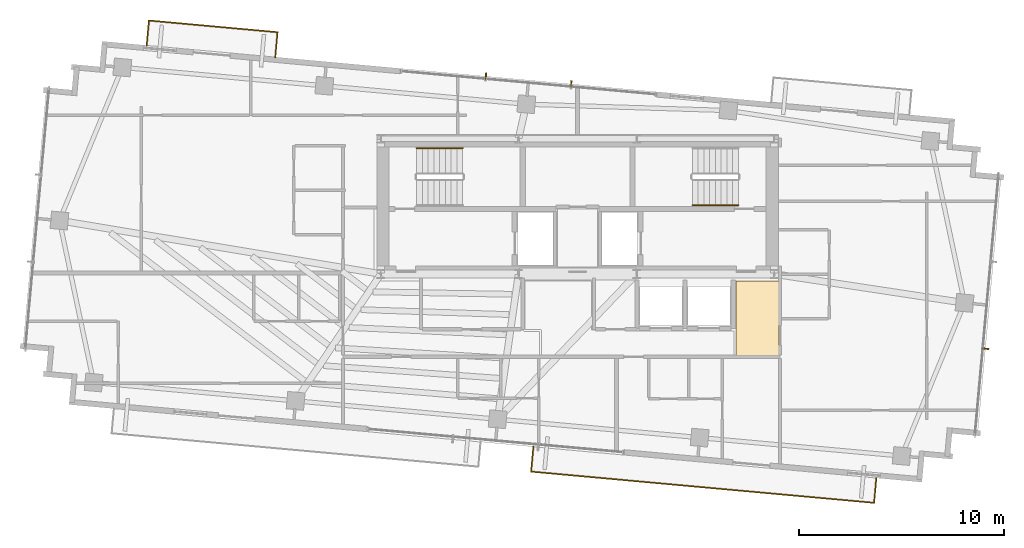
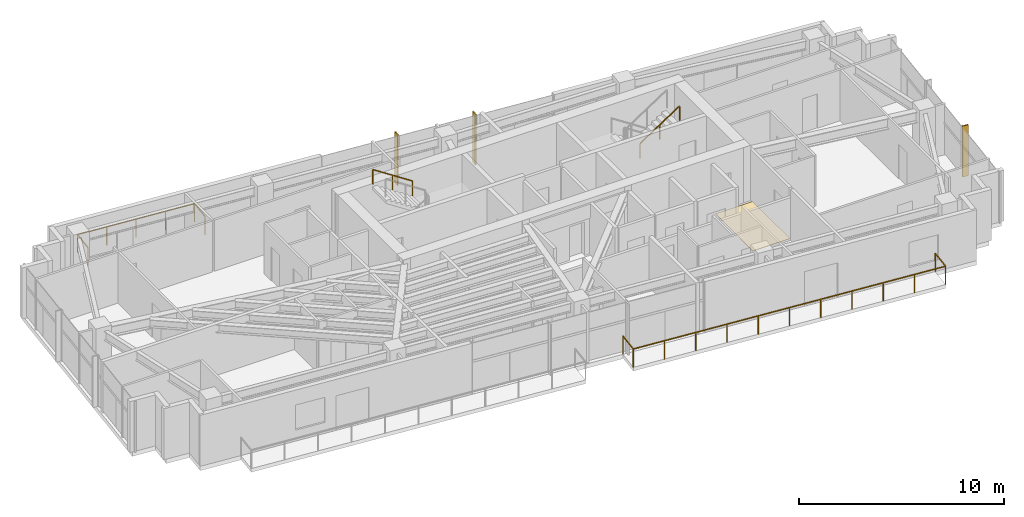
# One storey, part 21 of 22: 4 railings, 3 shading devices, 1 covering.
"""IFC4 building model written with IfcOpenShell, lengths in metres."""

from ifc_helpers import new_model, si_unit, direction, frame, origin, origin_2d, place, context, subcontext, project, spatial, polyline, rectangle, outline, extrude, source, transform, mapped, material, layer, layer_set, type_object, type_shapes, element, save


model = new_model("IFC4")

# Units and contexts
model_context = context("Model", 3, precision=1e-05, world=origin(), true_north=direction((0.0, 1.0)))
body_context = subcontext(model_context, "Body", "Model", "MODEL_VIEW")
ifc_project = project(units=[si_unit("LENGTHUNIT", "METRE"), si_unit("AREAUNIT", "SQUARE_METRE"), si_unit("VOLUMEUNIT", "CUBIC_METRE"), si_unit("PLANEANGLEUNIT", "RADIAN"), si_unit("MASSUNIT", "GRAM", prefix="KILO")], contexts=[model_context])

# Site, building, storey
site_placement = place(None, origin())
site = spatial("IfcSite", under=ifc_project, at=site_placement, CompositionType="ELEMENT")
building_placement = place(site_placement, origin())
building = spatial("IfcBuilding", under=site, at=building_placement, Name="Astriad Promenade Condominiums", CompositionType="ELEMENT")
storey_placement = place(building_placement, frame((0.0, 0.0, 229.800048828125)))
storey = spatial("IfcBuildingStorey", under=building, at=storey_placement, Name="L66", CompositionType="ELEMENT", Elevation=229.800048828125)

# Covering
ifc_material_1 = material(Name="Polished Lakefront Terrazzo Flooring")
ifc_layer = layer(ifc_material_1, 0.02001953125)
ifc_layer_set = layer_set([ifc_layer], Name="Polished Lakefront Terrazzo Flooring")
covering_type = type_object("IfcCoveringType", Name="COV-FLOR-TERRAZZO-20", PredefinedType="FLOORING", material=ifc_layer_set)
covering_placement = place(storey_placement, origin())
element("IfcCovering", 1, at=covering_placement, inside=storey, type_object=covering_type, Name="FLR-L66-COR-2", PredefinedType="FLOORING", context=body_context, shape_type="SweptSolid", body=[
    extrude(outline(polyline([(43.72998046875, 14.62353515625), (43.73095703125, 14.62451171875), (43.7333984375, 14.627685546875), (43.7353515625, 14.631103515625), (43.737060546875, 14.634765625), (43.73828125, 14.638427734375), (43.7392578125, 14.64208984375), (43.73974609375, 14.64599609375), (43.739990234375, 14.64990234375), (43.739990234375, 17.06005859375), (45.840087890625, 17.06005859375), (45.840087890625, 13.39990234375), (43.72998046875, 13.39990234375), (43.72998046875, 14.62353515625)])), origin(), (0.0, 0.0, 1.0), 0.02001953125),
])

# Shading devices
ifc_material_2 = material(Name="Anodised aluminium 6063-T6 Black Fin", Category="aluminium")
shading_device_type = type_object("IfcShadingDeviceType", Name="FIN-BLACK-260", PredefinedType="USERDEFINED", material=ifc_material_2)
shared_shape_1 = source(origin(), body_context, "Body", "SweptSolid", [
    extrude(rectangle(XDim=0.06494140625, YDim=0.320068359375, at=origin_2d()), origin(), (0.0, 0.0, 1.0), 3.0400390625),
])
type_shapes(shading_device_type, [shared_shape_1])
for number, where, z_axis, x_axis, name in (
    (2, (31.526123046875, 27.062744140625, 0.0), (0.0, 0.0, 1.0), (0.995884398616, -0.090632580198, 0.0), "CW-L66-N-FIN-01"),
    (3, (35.68896484375, 26.683837890625, 0.0), (0.0, 0.0, 1.0), (0.995884398616, -0.090632580198, 0.0), "CW-L66-N-FIN-02"),
    (4, (55.920166015625, 13.753662109375, 0.0), (0.0, 0.0, 1.0), (-0.090632580198, -0.995884398616, 0.0), "CW-L66-E-FIN-02"),
):
    element("IfcShadingDevice", number, at=place(storey_placement, frame(where, z_axis=z_axis, x_axis=x_axis)), inside=storey, type_object=shading_device_type, Name=name, ObjectType="FIN", PredefinedType="USERDEFINED", context=body_context, shape_type="MappedRepresentation", body=[
        mapped(shared_shape_1, transform((0.0, 0.0, 0.0), scale=1.0)),
    ])

# Railings
ifc_material_3 = material(Name="Laminated Glass and Stainless Steel Balustrade", Category="steel")
railing_type_1 = type_object("IfcRailingType", Name="GRD-BALC-1120", PredefinedType="BALUSTRADE", material=ifc_material_3)
shared_shape_2 = source(origin(), body_context, "Body", "SweptSolid", [
    extrude(rectangle(XDim=0.048095703125, YDim=0.048095703125, at=origin_2d()), frame((0.0, 0.0, 1.09619140625), z_axis=(-0.090643994769, -0.995883359743, 0.0), x_axis=(0.995883359743, -0.090643994769, 0.0)), (0.0, 0.0, 1.0), 1.22021484375),
    extrude(rectangle(XDim=0.048095703125, YDim=0.048095703125, at=origin_2d()), frame((-0.110595703125, -1.215087890625, 1.09619140625), z_axis=(0.995883798248, -0.09063917689, 0.0), x_axis=(0.09063917689, 0.995883798248, 0.0)), (0.0, 0.0, 1.0), 16.81298828125),
    extrude(rectangle(XDim=0.048095703125, YDim=0.048095703125, at=origin_2d()), frame((16.63330078125, -2.739013671875, 1.09619140625), z_axis=(0.090445536319, 0.995901403232, 0.0), x_axis=(-0.995901403232, 0.090445536319, 0.0)), (0.0, 0.0, 1.0), 1.219970703125),
    extrude(rectangle(XDim=0.0419921875, YDim=0.0419921875, at=origin_2d()), origin(), (0.0, 0.0, 1.0), 1.072021484375),
    extrude(rectangle(XDim=0.0419921875, YDim=0.0419921875, at=origin_2d()), frame((-0.110595703125, -1.215087890625, 0.0)), (0.0, 0.0, 1.0), 1.072021484375),
    extrude(rectangle(XDim=0.0419921875, YDim=0.0419921875, at=origin_2d()), frame((1.563720703125, -1.367431640625, 0.0)), (0.0, 0.0, 1.0), 1.072021484375),
    extrude(rectangle(XDim=0.0419921875, YDim=0.0419921875, at=origin_2d()), frame((3.23828125, -1.519775390625, 0.0)), (0.0, 0.0, 1.0), 1.072021484375),
    extrude(rectangle(XDim=0.0419921875, YDim=0.0419921875, at=origin_2d()), frame((4.91259765625, -1.67236328125, 0.0)), (0.0, 0.0, 1.0), 1.072021484375),
    extrude(rectangle(XDim=0.0419921875, YDim=0.0419921875, at=origin_2d()), frame((6.5869140625, -1.82470703125, 0.0)), (0.0, 0.0, 1.0), 1.072021484375),
    extrude(rectangle(XDim=0.0419921875, YDim=0.0419921875, at=origin_2d()), frame((8.26123046875, -1.97705078125, 0.0)), (0.0, 0.0, 1.0), 1.072021484375),
    extrude(rectangle(XDim=0.0419921875, YDim=0.0419921875, at=origin_2d()), frame((9.935791015625, -2.12939453125, 0.0)), (0.0, 0.0, 1.0), 1.072021484375),
    extrude(rectangle(XDim=0.0419921875, YDim=0.0419921875, at=origin_2d()), frame((11.610107421875, -2.28173828125, 0.0)), (0.0, 0.0, 1.0), 1.072021484375),
    extrude(rectangle(XDim=0.0419921875, YDim=0.0419921875, at=origin_2d()), frame((13.284423828125, -2.434326171875, 0.0)), (0.0, 0.0, 1.0), 1.072021484375),
    extrude(rectangle(XDim=0.0419921875, YDim=0.0419921875, at=origin_2d()), frame((14.958984375, -2.586669921875, 0.0)), (0.0, 0.0, 1.0), 1.072021484375),
    extrude(rectangle(XDim=0.0419921875, YDim=0.0419921875, at=origin_2d()), frame((16.63330078125, -2.739013671875, 0.0)), (0.0, 0.0, 1.0), 1.072021484375),
    extrude(rectangle(XDim=0.0419921875, YDim=0.0419921875, at=origin_2d()), frame((16.74365234375, -1.52392578125, 0.0)), (0.0, 0.0, 1.0), 1.072021484375),
])
railing_1_placement = place(storey_placement, frame((33.841796875, 8.968505859375, 0.0)))
element("IfcRailing", 5, at=railing_1_placement, inside=storey, type_object=railing_type_1, Name="GRD-BALC-L66-SE", PredefinedType="BALUSTRADE", context=body_context, shape_type="MappedRepresentation", body=[
    mapped(shared_shape_2, transform((0.0, 0.0, 0.0), scale=1.0)),
])
shared_shape_3 = source(origin(), body_context, "Body", "SweptSolid", [
    extrude(rectangle(XDim=0.048095703125, YDim=0.048095703125, at=origin_2d()), frame((0.0, 0.0, 1.09619140625), z_axis=(0.090643994769, 0.995883359743, 0.0), x_axis=(-0.995883359743, 0.090643994769, 0.0)), (0.0, 0.0, 1.0), 1.22021484375),
    extrude(rectangle(XDim=0.048095703125, YDim=0.048095703125, at=origin_2d()), frame((0.110595703125, 1.215087890625, 1.09619140625), z_axis=(-0.995886856425, 0.090605569364, 0.0), x_axis=(-0.090605569364, -0.995886856425, 0.0)), (0.0, 0.0, 1.0), 6.30517578125),
    extrude(rectangle(XDim=0.048095703125, YDim=0.048095703125, at=origin_2d()), frame((-6.168701171875, 1.786376953125, 1.09619140625), z_axis=(-0.090463563939, -0.99589976584, 0.0), x_axis=(0.99589976584, -0.090463563939, 0.0)), (0.0, 0.0, 1.0), 1.2197265625),
    extrude(rectangle(XDim=0.0419921875, YDim=0.0419921875, at=origin_2d()), origin(), (0.0, 0.0, 1.0), 1.072021484375),
    extrude(rectangle(XDim=0.0419921875, YDim=0.0419921875, at=origin_2d()), frame((0.110595703125, 1.215087890625, 0.0)), (0.0, 0.0, 1.0), 1.072021484375),
    extrude(rectangle(XDim=0.0419921875, YDim=0.0419921875, at=origin_2d()), frame((-1.459228515625, 1.35791015625, 0.0)), (0.0, 0.0, 1.0), 1.072021484375),
    extrude(rectangle(XDim=0.0419921875, YDim=0.0419921875, at=origin_2d()), frame((-3.029052734375, 1.500732421875, 0.0)), (0.0, 0.0, 1.0), 1.072021484375),
    extrude(rectangle(XDim=0.0419921875, YDim=0.0419921875, at=origin_2d()), frame((-4.598876953125, 1.6435546875, 0.0)), (0.0, 0.0, 1.0), 1.072021484375),
    extrude(rectangle(XDim=0.0419921875, YDim=0.0419921875, at=origin_2d()), frame((-6.168701171875, 1.786376953125, 0.0)), (0.0, 0.0, 1.0), 1.072021484375),
    extrude(rectangle(XDim=0.0419921875, YDim=0.0419921875, at=origin_2d()), frame((-6.279052734375, 0.571533203125, 0.0)), (0.0, 0.0, 1.0), 1.072021484375),
])
type_shapes(railing_type_1, [shared_shape_2, shared_shape_3])
railing_2_placement = place(storey_placement, frame((21.247802734375, 27.988037109375, 0.0)))
element("IfcRailing", 6, at=railing_2_placement, inside=storey, type_object=railing_type_1, Name="GRD-BALC-L66-NW", PredefinedType="BALUSTRADE", context=body_context, shape_type="MappedRepresentation", body=[
    mapped(shared_shape_3, transform((0.0, 0.0, 0.0), scale=1.0)),
])
ifc_material_4 = material(Name="Brushed Stainless Steel Handrail", Category="steel")
railing_type_2 = type_object("IfcRailingType", Name="HRL-STAIR-920", PredefinedType="HANDRAIL", material=ifc_material_4)
shared_shape_4 = source(origin(), body_context, "Body", "SweptSolid", [
    extrude(rectangle(XDim=0.048095703125, YDim=0.048095703125, at=origin_2d()), frame((0.0, 0.0, 0.8759765625), z_axis=(0.836595146698, 0.0, 0.547821650285), x_axis=(0.0, 1.0, 0.0)), (0.0, 0.0, 1.0), 2.677490234375),
    extrude(rectangle(XDim=0.0419921875, YDim=0.0419921875, at=origin_2d()), origin(), (0.0, 0.0, 1.0), 0.851806640625),
    extrude(rectangle(XDim=0.0419921875, YDim=0.0419921875, at=origin_2d()), frame((1.1201171875, 0.0, 0.7333984375)), (0.0, 0.0, 1.0), 0.851806640625),
    extrude(rectangle(XDim=0.0419921875, YDim=0.0419921875, at=origin_2d()), frame((2.239990234375, 0.0, 1.466796875)), (0.0, 0.0, 1.0), 0.851806640625),
])
railing_3_placement = place(storey_placement, frame((41.610107421875, 20.75, 1.833251953125)))
element("IfcRailing", 7, at=railing_3_placement, inside=storey, type_object=railing_type_2, Name="L66 ST-2 stair handrail 2", PredefinedType="HANDRAIL", context=body_context, shape_type="MappedRepresentation", body=[
    mapped(shared_shape_4, transform((0.0, 0.0, 0.0), scale=1.0)),
])
shared_shape_5 = source(origin(), body_context, "Body", "SweptSolid", [
    extrude(rectangle(XDim=0.048095703125, YDim=0.048095703125, at=origin_2d()), frame((0.0, 0.0, 0.8759765625), z_axis=(-0.836595146698, 0.0, 0.547821650285), x_axis=(0.0, -1.0, 0.0)), (0.0, 0.0, 1.0), 2.677490234375),
    extrude(rectangle(XDim=0.0419921875, YDim=0.0419921875, at=origin_2d()), origin(), (0.0, 0.0, 1.0), 0.851806640625),
    extrude(rectangle(XDim=0.0419921875, YDim=0.0419921875, at=origin_2d()), frame((-1.1201171875, 0.0, 0.7333984375)), (0.0, 0.0, 1.0), 0.851806640625),
    extrude(rectangle(XDim=0.0419921875, YDim=0.0419921875, at=origin_2d()), frame((-2.239990234375, 0.0, 1.466796875)), (0.0, 0.0, 1.0), 0.851806640625),
])
type_shapes(railing_type_2, [shared_shape_4, shared_shape_5])
railing_4_placement = place(storey_placement, frame((30.389892578125, 23.550048828125, 1.833251953125)))
element("IfcRailing", 8, at=railing_4_placement, inside=storey, type_object=railing_type_2, Name="L66 ST-1 stair handrail 2", PredefinedType="HANDRAIL", context=body_context, shape_type="MappedRepresentation", body=[
    mapped(shared_shape_5, transform((0.0, 0.0, 0.0), scale=1.0)),
])

save(model, "model.ifc")
